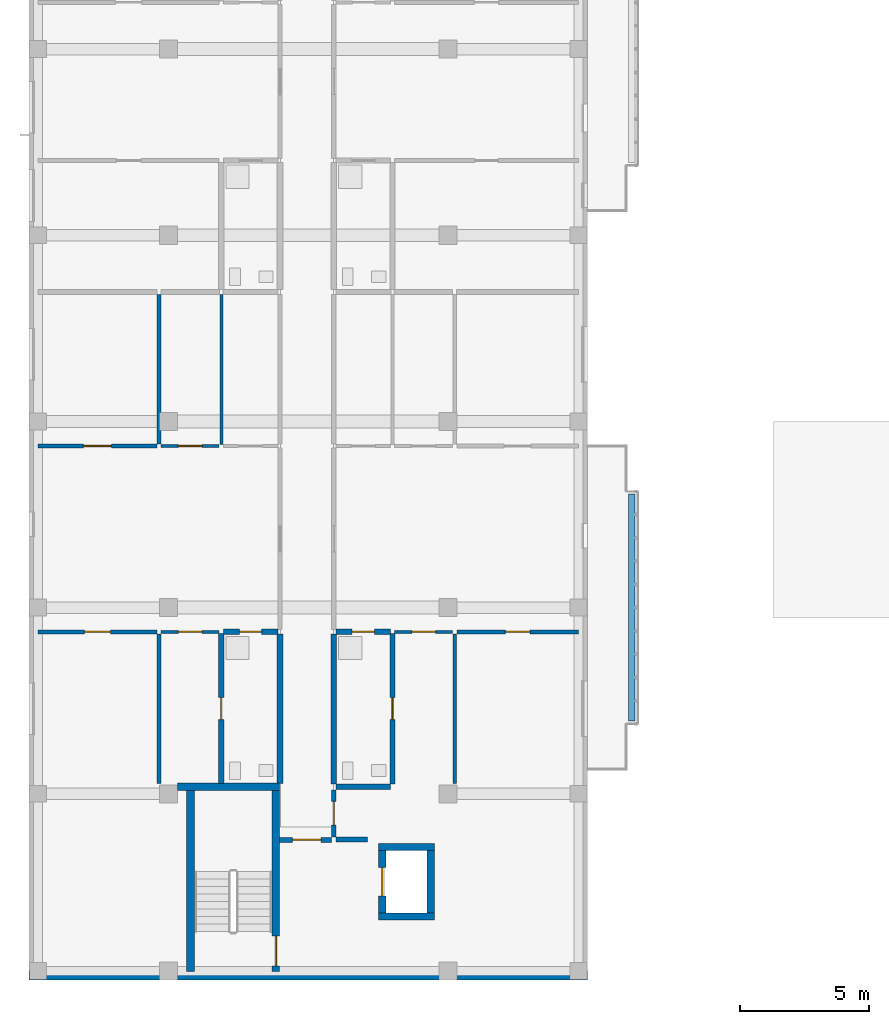
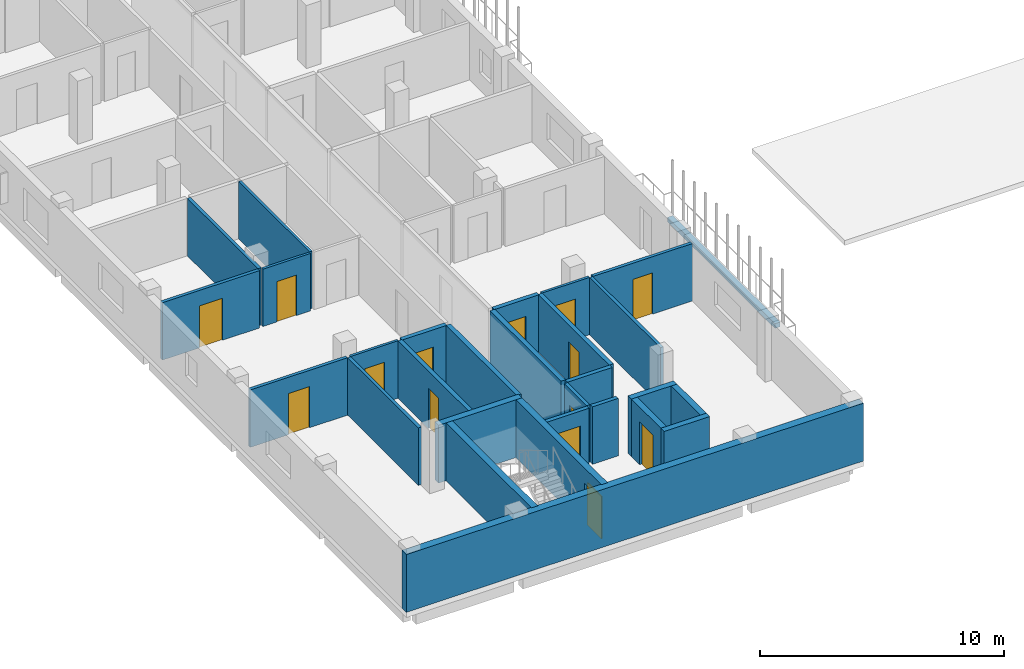
# One storey, part 24 of 51: 29 walls, 14 doors, 14 openings.
"""IFC4 building model written with IfcOpenShell, lengths in metres."""

from ifc_helpers import new_model, si_unit, derived_unit, direction, frame, frame_2d, origin, place, context, subcontext, project, spatial, rectangle, extrude, material, layer, layer_set, type_object, element, fill, save


model = new_model("IFC4")

# Units and contexts
model_context = context("Model", 3, precision=1e-05, world=origin(), true_north=direction((0.0, 1.0)))
body_context = subcontext(model_context, "Body", "Model", "MODEL_VIEW")
ifc_project = project(units=[si_unit("LENGTHUNIT", "METRE"), si_unit("AREAUNIT", "SQUARE_METRE"), si_unit("VOLUMEUNIT", "CUBIC_METRE"), si_unit("PLANEANGLEUNIT", "RADIAN"), si_unit("MASSUNIT", "GRAM", prefix="KILO"), derived_unit("THERMALTRANSMITTANCEUNIT", [(si_unit("MASSUNIT", "GRAM", prefix="KILO"), 1), (si_unit("TIMEUNIT", "SECOND"), -3), (si_unit("THERMODYNAMICTEMPERATUREUNIT", "KELVIN"), -1)])], contexts=[model_context])

# Site, building, storey
site_placement = place(None, origin())
site = spatial("IfcSite", under=ifc_project, at=site_placement, CompositionType="ELEMENT")
building_placement = place(site_placement, origin())
building = spatial("IfcBuilding", under=site, at=building_placement, Name="Ochrekiln Boulevard Commons", CompositionType="ELEMENT")
storey_placement = place(building_placement, frame((0.0, 0.0, 15.22509765625)))
storey = spatial("IfcBuildingStorey", under=building, at=storey_placement, Name="L04", CompositionType="ELEMENT", Elevation=15.22509765625)

# Walls
ifc_material_1 = material(Name="Iron-spot brown clinker brick masonry ASTM C216 Grade SW", Category="masonry")
ifc_layer_1 = layer(ifc_material_1, 0.364990234375)
ifc_layer_set_1 = layer_set([ifc_layer_1], Name="Iron-spot brown clinker brick masonry ASTM C216 Grade SW")
wall_type_1 = type_object("IfcWallType", Name="WL-EXT-IRON-365", PredefinedType="SOLIDWALL", material=ifc_layer_set_1)
wall_1_placement = place(storey_placement, frame((0.0, 0.1826171875, 0.0), z_axis=(0.0, 0.0, 1.0), x_axis=(1.0, 0.0, 0.0)))
element("IfcWall", 1, at=wall_1_placement, inside=storey, type_object=wall_type_1, Name="Block D L04 S Exterior Wall", PredefinedType="SOLIDWALL", context=body_context, shape_type="SweptSolid", body=[
    extrude(rectangle(XDim=21.60009765625, YDim=0.364990234375, at=frame_2d((10.800048828125, 0.0))), origin(), (0.0, 0.0, 1.0), 2.889892578125),
])
ifc_material_2 = material(Name="Moisture-resistant cementitious tile backer wall")
ifc_layer_2 = layer(ifc_material_2, 0.199951171875)
ifc_layer_set_2 = layer_set([ifc_layer_2], Name="Moisture-resistant cementitious tile backer wall")
wall_type_2 = type_object("IfcWallType", Name="WL-PLM-200", PredefinedType="PLUMBINGWALL", material=ifc_layer_set_2)
wall_2_placement = place(storey_placement, frame((11.8720703125, 7.47509765625, 0.0), z_axis=(0.0, 0.0, 1.0), x_axis=(1.0, 0.0, 0.0)))
element("IfcWall", 2, at=wall_2_placement, inside=storey, type_object=wall_type_2, Name="L04 Interior Wall W-PW200", PredefinedType="PLUMBINGWALL", context=body_context, shape_type="SweptSolid", body=[
    extrude(rectangle(XDim=2.10791015625, YDim=0.199951171875, at=frame_2d((1.053955078125, 0.0))), origin(), (0.0, 0.0, 1.0), 2.869873046875),
])

# Wall, opening, door
wall_3_placement = place(storey_placement, frame((7.52001953125, 13.465087890625, 0.0), z_axis=(0.0, 0.0, 1.0), x_axis=(1.0, 0.0, 0.0)))
wall_3 = element("IfcWall", 3, at=wall_3_placement, inside=storey, type_object=wall_type_2, Name="L04 Interior Wall W-PW200", PredefinedType="PLUMBINGWALL", context=body_context, shape_type="SweptSolid", body=[
    extrude(rectangle(XDim=2.10791015625, YDim=0.199951171875, at=frame_2d((1.053955078125, 0.0))), origin(), (0.0, 0.0, 1.0), 2.869873046875),
])
opening_1_placement = place(wall_3_placement, frame((0.6201171875, 0.0, 0.0)))
opening_1 = element("IfcOpeningElement", 4, at=opening_1_placement, cuts=wall_3, Name="Opening D-L04-655", PredefinedType="OPENING", context=body_context, shape_type="SweptSolid", body=[
    extrude(rectangle(XDim=0.860107421875, YDim=2.0, at=frame_2d((0.43017578125, 1.0))), frame((0.0, 0.10986328125, 0.0), z_axis=(0.0, -1.0, 0.0), x_axis=(1.0, 0.0, 0.0)), (0.0, 0.0, 1.0), 0.219970703125),
])
ifc_material_3 = material(Name="Solid core architectural oak door leaf")
door_type_1 = type_object("IfcDoorType", Name="DR-INT-BTH-086", OperationType="NOTDEFINED", PredefinedType="DOOR", material=ifc_material_3)
door_1_placement = place(opening_1_placement, frame((0.860107421875, 0.0, 0.0), z_axis=(0.0, 0.0, 1.0), x_axis=(-1.0, 0.0, 0.0)))
door_1 = element("IfcDoor", 5, at=door_1_placement, inside=storey, type_object=door_type_1, Name="L04 Interior Door to Accessible Apartment Bathroom", OperationType="SINGLE_SWING_LEFT", OverallHeight=2.0, OverallWidth=0.860107421875, PredefinedType="DOOR", context=body_context, shape_type="SweptSolid", body=[
    extrude(rectangle(XDim=0.860107421875, YDim=2.0, at=frame_2d((0.43017578125, 1.0))), frame((0.0, 0.02490234375, 0.0), z_axis=(0.0, -1.0, 0.0), x_axis=(1.0, 0.0, 0.0)), (0.0, 0.0, 1.0), 0.050048828125),
])
fill(opening_1, door_1)

wall_4_placement = place(storey_placement, frame((7.43994140625, 7.60009765625, 0.0), z_axis=(0.0, 0.0, 1.0), x_axis=(0.0, 1.0, 0.0)))
wall_4 = element("IfcWall", 6, at=wall_4_placement, inside=storey, type_object=wall_type_2, Name="L04 Interior Wall W-PW200", PredefinedType="PLUMBINGWALL", context=body_context, shape_type="SweptSolid", body=[
    extrude(rectangle(XDim=5.804931640625, YDim=0.199951171875, at=frame_2d((2.90234375, 0.0))), origin(), (0.0, 0.0, 1.0), 2.869873046875),
])
opening_2_placement = place(wall_4_placement, frame((2.468017578125, 0.0, 0.0)))
opening_2 = element("IfcOpeningElement", 7, at=opening_2_placement, cuts=wall_4, Name="Opening D-L04-661", PredefinedType="OPENING", context=body_context, shape_type="SweptSolid", body=[
    extrude(rectangle(XDim=0.85009765625, YDim=2.010009765625, at=frame_2d((0.425048828125, 1.0048828125))), frame((0.0, 0.10986328125, 0.0), z_axis=(0.0, -1.0, 0.0), x_axis=(1.0, 0.0, 0.0)), (0.0, 0.0, 1.0), 0.219970703125),
])
door_type_2 = type_object("IfcDoorType", Name="DR-INT-KIT-085", OperationType="NOTDEFINED", PredefinedType="DOOR", material=ifc_material_3)
door_2_placement = place(opening_2_placement, frame((0.85009765625, 0.0, 0.0), z_axis=(0.0, 0.0, 1.0), x_axis=(-1.0, 0.0, 0.0)))
door_2 = element("IfcDoor", 8, at=door_2_placement, inside=storey, type_object=door_type_2, Name="L04 Interior Door to Accessible Apartment Bathroom", OperationType="SINGLE_SWING_LEFT", OverallHeight=2.010009765625, OverallWidth=0.85009765625, PredefinedType="DOOR", context=body_context, shape_type="SweptSolid", body=[
    extrude(rectangle(XDim=0.85009765625, YDim=2.010009765625, at=frame_2d((0.425048828125, 1.0048828125))), frame((0.0, 0.02490234375, 0.0), z_axis=(0.0, -1.0, 0.0), x_axis=(1.0, 0.0, 0.0)), (0.0, 0.0, 1.0), 0.050048828125),
])
fill(opening_2, door_2)

wall_5_placement = place(storey_placement, frame((11.8720703125, 13.465087890625, 0.0), z_axis=(0.0, 0.0, 1.0), x_axis=(1.0, 0.0, 0.0)))
wall_5 = element("IfcWall", 9, at=wall_5_placement, inside=storey, type_object=wall_type_2, Name="L04 Interior Wall W-PW200", PredefinedType="PLUMBINGWALL", context=body_context, shape_type="SweptSolid", body=[
    extrude(rectangle(XDim=2.10791015625, YDim=0.199951171875, at=frame_2d((1.053955078125, 0.0))), origin(), (0.0, 0.0, 1.0), 2.869873046875),
])
opening_3_placement = place(wall_5_placement, frame((0.6279296875, 0.0, 0.0)))
opening_3 = element("IfcOpeningElement", 10, at=opening_3_placement, cuts=wall_5, Name="Opening D-L04-666", PredefinedType="OPENING", context=body_context, shape_type="SweptSolid", body=[
    extrude(rectangle(XDim=0.860107421875, YDim=2.0, at=frame_2d((0.43017578125, 1.0))), frame((0.0, 0.10986328125, 0.0), z_axis=(0.0, -1.0, 0.0), x_axis=(1.0, 0.0, 0.0)), (0.0, 0.0, 1.0), 0.219970703125),
])
door_3_placement = place(opening_3_placement, frame((0.860107421875, 0.0, 0.0), z_axis=(0.0, 0.0, 1.0), x_axis=(-1.0, 0.0, 0.0)))
door_3 = element("IfcDoor", 11, at=door_3_placement, inside=storey, type_object=door_type_1, Name="L04 Interior Door to Apartment Bathroom", OperationType="SINGLE_SWING_RIGHT", OverallHeight=2.0, OverallWidth=0.860107421875, PredefinedType="DOOR", context=body_context, shape_type="SweptSolid", body=[
    extrude(rectangle(XDim=0.860107421875, YDim=2.0, at=frame_2d((0.43017578125, 1.0))), frame((0.0, 0.02490234375, 0.0), z_axis=(0.0, -1.0, 0.0), x_axis=(1.0, 0.0, 0.0)), (0.0, 0.0, 1.0), 0.050048828125),
])
fill(opening_3, door_3)

wall_6_placement = place(storey_placement, frame((14.06005859375, 7.574951171875, 0.0), z_axis=(0.0, 0.0, 1.0), x_axis=(0.0, 1.0, 0.0)))
wall_6 = element("IfcWall", 12, at=wall_6_placement, inside=storey, type_object=wall_type_2, Name="L04 Interior Wall W-PW200", PredefinedType="PLUMBINGWALL", context=body_context, shape_type="SweptSolid", body=[
    extrude(rectangle(XDim=5.830078125, YDim=0.199951171875, at=frame_2d((2.9150390625, 0.0))), origin(), (0.0, 0.0, 1.0), 2.869873046875),
])
opening_4_placement = place(wall_6_placement, frame((2.491943359375, 0.0, 0.0)))
opening_4 = element("IfcOpeningElement", 13, at=opening_4_placement, cuts=wall_6, Name="Opening D-L04-672", PredefinedType="OPENING", context=body_context, shape_type="SweptSolid", body=[
    extrude(rectangle(XDim=0.85009765625, YDim=2.010009765625, at=frame_2d((0.425048828125, 1.0048828125))), frame((0.0, 0.10986328125, 0.0), z_axis=(0.0, -1.0, 0.0), x_axis=(1.0, 0.0, 0.0)), (0.0, 0.0, 1.0), 0.219970703125),
])
door_4_placement = place(opening_4_placement, origin())
door_4 = element("IfcDoor", 14, at=door_4_placement, inside=storey, type_object=door_type_2, Name="L04 Interior Door to Apartment Bathroom", OperationType="SINGLE_SWING_RIGHT", OverallHeight=2.010009765625, OverallWidth=0.85009765625, PredefinedType="DOOR", context=body_context, shape_type="SweptSolid", body=[
    extrude(rectangle(XDim=0.85009765625, YDim=2.010009765625, at=frame_2d((0.425048828125, 1.0048828125))), frame((0.0, 0.02490234375, 0.0), z_axis=(0.0, -1.0, 0.0), x_axis=(1.0, 0.0, 0.0)), (0.0, 0.0, 1.0), 0.050048828125),
])
fill(opening_4, door_4)

# Walls
ifc_layer_3 = layer(ifc_material_2, 0.219970703125)
ifc_layer_set_3 = layer_set([ifc_layer_3], Name="Moisture-resistant cementitious tile backer wall")
wall_type_3 = type_object("IfcWallType", Name="WL-PLM-220", PredefinedType="PLUMBINGWALL", material=ifc_layer_set_3)
wall_7_placement = place(storey_placement, frame((9.7099609375, 7.60009765625, 0.0), z_axis=(0.0, 0.0, 1.0), x_axis=(0.0, 1.0, 0.0)))
element("IfcWall", 15, at=wall_7_placement, inside=storey, type_object=wall_type_3, Name="L04 Interior Wall W-PW220", PredefinedType="PLUMBINGWALL", context=body_context, shape_type="SweptSolid", body=[
    extrude(rectangle(XDim=5.784912109375, YDim=0.219970703125, at=frame_2d((2.892578125, 0.0))), origin(), (0.0, 0.0, 1.0), 2.869873046875),
])
wall_8_placement = place(storey_placement, frame((11.7900390625, 7.574951171875, 0.0), z_axis=(0.0, 0.0, 1.0), x_axis=(0.0, 1.0, 0.0)))
element("IfcWall", 16, at=wall_8_placement, inside=storey, type_object=wall_type_3, Name="L04 Interior Wall W-PW220", PredefinedType="PLUMBINGWALL", context=body_context, shape_type="SweptSolid", body=[
    extrude(rectangle(XDim=5.81005859375, YDim=0.219970703125, at=frame_2d((2.905029296875, 0.0))), origin(), (0.0, 0.0, 1.0), 2.869873046875),
])
ifc_material_4 = material(Name="Glazed architectural terracotta ASTM C1405", Category="masonry")
ifc_layer_4 = layer(ifc_material_4, 0.25)
ifc_layer_set_4 = layer_set([ifc_layer_4], Name="Glazed architectural terracotta ASTM C1405")
wall_type_4 = type_object("IfcWallType", Name="WL-PLN-250", PredefinedType="PARAPET", material=ifc_layer_set_4)
wall_9_placement = place(storey_placement, frame((23.320068359375, 10.010009765625, 0.0), z_axis=(0.0, 0.0, 1.0), x_axis=(0.0, 1.0, 0.0)))
element("IfcWall", 17, at=wall_9_placement, inside=storey, type_object=wall_type_4, Name="Block D L04 Balcony Terracotta Planter Box 1", PredefinedType="PARAPET", context=body_context, shape_type="SweptSolid", body=[
    extrude(rectangle(XDim=8.780029296875, YDim=0.25, at=frame_2d((4.39013671875, 0.0))), origin(), (0.0, 0.0, 1.0), 0.22998046875),
])

# Wall, opening, door
ifc_material_5 = material(Name="Fire-rated Type X gypsum board on steel studs", Category="steel")
ifc_layer_5 = layer(ifc_material_5, 0.1650390625)
ifc_layer_set_5 = layer_set([ifc_layer_5], Name="Fire-rated Type X gypsum board on steel studs")
wall_type_5 = type_object("IfcWallType", Name="WL-PT-CORR-165", PredefinedType="PARTITIONING", material=ifc_layer_set_5)
wall_10_placement = place(storey_placement, frame((11.7900390625, 5.530029296875, 0.0), z_axis=(0.0, 0.0, 1.0), x_axis=(0.0, 1.0, 0.0)))
wall_10 = element("IfcWall", 18, at=wall_10_placement, inside=storey, type_object=wall_type_5, Name="L04 Interior Wall W-PC165", PredefinedType="PARTITIONING", context=body_context, shape_type="SweptSolid", body=[
    extrude(rectangle(XDim=1.820068359375, YDim=0.1650390625, at=frame_2d((0.91015625, 0.0))), origin(), (0.0, 0.0, 1.0), 2.869873046875),
])
opening_5_placement = place(wall_10_placement, frame((0.4599609375, 0.0, 0.0)))
opening_5 = element("IfcOpeningElement", 19, at=opening_5_placement, cuts=wall_10, Name="Opening D-L04-650", PredefinedType="OPENING", context=body_context, shape_type="SweptSolid", body=[
    extrude(rectangle(XDim=0.919921875, YDim=2.0400390625, at=frame_2d((0.4599609375, 1.02001953125))), frame((0.0, 0.092529296875, 0.0), z_axis=(0.0, -1.0, 0.0), x_axis=(1.0, 0.0, 0.0)), (0.0, 0.0, 1.0), 0.18505859375),
])
ifc_material_6 = material(Name="Hollow metal fire-rated steel door assembly", Category="steel")
door_type_3 = type_object("IfcDoorType", Name="DR-SRV-90", OperationType="NOTDEFINED", PredefinedType="DOOR", material=ifc_material_6)
door_5_placement = place(opening_5_placement, frame((0.919921875, 0.0, 0.0), z_axis=(0.0, 0.0, 1.0), x_axis=(-1.0, 0.0, 0.0)))
door_5 = element("IfcDoor", 20, at=door_5_placement, inside=storey, type_object=door_type_3, Name="L04 Interior Door to Hydronic and Electrical Riser Room", OperationType="SINGLE_SWING_RIGHT", OverallHeight=2.0400390625, OverallWidth=0.919921875, PredefinedType="DOOR", context=body_context, shape_type="SweptSolid", body=[
    extrude(rectangle(XDim=0.919921875, YDim=2.0400390625, at=frame_2d((0.4599609375, 1.02001953125))), frame((0.0, 0.02490234375, 0.0), z_axis=(0.0, -1.0, 0.0), x_axis=(1.0, 0.0, 0.0)), (0.0, 0.0, 1.0), 0.050048828125),
])
fill(opening_5, door_5)

# Wall
ifc_layer_6 = layer(ifc_material_5, 0.18994140625)
ifc_layer_set_6 = layer_set([ifc_layer_6], Name="Fire-rated Type X gypsum board on steel studs")
wall_type_6 = type_object("IfcWallType", Name="WL-PT-LBY-190", PredefinedType="PARTITIONING", material=ifc_layer_set_6)
wall_11_placement = place(storey_placement, frame((11.8798828125, 5.43505859375, 0.0), z_axis=(0.0, 0.0, 1.0), x_axis=(1.0, 0.0, 0.0)))
element("IfcWall", 21, at=wall_11_placement, inside=storey, type_object=wall_type_6, Name="L04 Interior Wall W-PL190", PredefinedType="PARTITIONING", context=body_context, shape_type="SweptSolid", body=[
    extrude(rectangle(XDim=1.22021484375, YDim=0.18994140625, at=frame_2d((0.610107421875, 0.0))), origin(), (0.0, 0.0, 1.0), 2.869873046875),
])

# Wall, opening, door
wall_12_placement = place(storey_placement, frame((9.699951171875, 5.419921875, 0.0), z_axis=(0.0, 0.0, 1.0), x_axis=(1.0, 0.0, 0.0)))
wall_12 = element("IfcWall", 22, at=wall_12_placement, inside=storey, type_object=wall_type_6, Name="L04 Interior Wall W-PL190", PredefinedType="PARTITIONING", context=body_context, shape_type="SweptSolid", body=[
    extrude(rectangle(XDim=2.0, YDim=0.18994140625, at=frame_2d((1.0, 0.0))), origin(), (0.0, 0.0, 1.0), 2.869873046875),
])
opening_6_placement = place(wall_12_placement, frame((0.5, 0.0, 0.0)))
opening_6 = element("IfcOpeningElement", 23, at=opening_6_placement, cuts=wall_12, Name="Opening D-L04-648", PredefinedType="OPENING", context=body_context, shape_type="SweptSolid", body=[
    extrude(rectangle(XDim=1.10009765625, YDim=2.1201171875, at=frame_2d((0.550048828125, 1.06005859375))), frame((0.0, 0.10498046875, 0.0), z_axis=(0.0, -1.0, 0.0), x_axis=(1.0, 0.0, 0.0)), (0.0, 0.0, 1.0), 0.2099609375),
])
door_type_4 = type_object("IfcDoorType", Name="DR-LOBBY-60", OperationType="NOTDEFINED", PredefinedType="DOOR", material=ifc_material_6)
door_6_placement = place(opening_6_placement, frame((1.10009765625, 0.0, 0.0), z_axis=(0.0, 0.0, 1.0), x_axis=(-1.0, 0.0, 0.0)))
door_6 = element("IfcDoor", 24, at=door_6_placement, inside=storey, type_object=door_type_4, Name="L04 Interior Door to Passenger Elevator Lobby", OperationType="SINGLE_SWING_RIGHT", OverallHeight=2.1201171875, OverallWidth=1.10009765625, PredefinedType="DOOR", context=body_context, shape_type="SweptSolid", body=[
    extrude(rectangle(XDim=1.10009765625, YDim=2.1201171875, at=frame_2d((0.550048828125, 1.06005859375))), frame((0.0, 0.02490234375, 0.0), z_axis=(0.0, -1.0, 0.0), x_axis=(1.0, 0.0, 0.0)), (0.0, 0.0, 1.0), 0.050048828125),
])
fill(opening_6, door_6)

ifc_layer_7 = layer(ifc_material_5, 0.1201171875)
ifc_layer_set_7 = layer_set([ifc_layer_7], Name="Fire-rated Type X gypsum board on steel studs")
wall_type_7 = type_object("IfcWallType", Name="WL-PT-LGT-120", PredefinedType="PARTITIONING", material=ifc_layer_set_7)
wall_13_placement = place(storey_placement, frame((5.110107421875, 13.465087890625, 0.0), z_axis=(0.0, 0.0, 1.0), x_axis=(1.0, 0.0, 0.0)))
wall_13 = element("IfcWall", 25, at=wall_13_placement, inside=storey, type_object=wall_type_7, Name="L04 Interior Wall W-PL120", PredefinedType="PARTITIONING", context=body_context, shape_type="SweptSolid", body=[
    extrude(rectangle(XDim=2.25, YDim=0.1201171875, at=frame_2d((1.125, 0.0))), origin(), (0.0, 0.0, 1.0), 2.869873046875),
])
opening_7_placement = place(wall_13_placement, frame((0.6650390625, 0.0, 0.0)))
opening_7 = element("IfcOpeningElement", 26, at=opening_7_placement, cuts=wall_13, Name="Opening D-L04-658", PredefinedType="OPENING", context=body_context, shape_type="SweptSolid", body=[
    extrude(rectangle(XDim=0.919921875, YDim=2.02001953125, at=frame_2d((0.4599609375, 1.010009765625))), frame((0.0, 0.070068359375, 0.0), z_axis=(0.0, -1.0, 0.0), x_axis=(1.0, 0.0, 0.0)), (0.0, 0.0, 1.0), 0.14013671875),
])
door_type_5 = type_object("IfcDoorType", Name="DR-INT-KIT-092", OperationType="NOTDEFINED", PredefinedType="DOOR", material=ifc_material_3)
door_7_placement = place(opening_7_placement, frame((0.919921875, 0.0, 0.0), z_axis=(0.0, 0.0, 1.0), x_axis=(-1.0, 0.0, 0.0)))
door_7 = element("IfcDoor", 27, at=door_7_placement, inside=storey, type_object=door_type_5, Name="L04 Interior Door to Apartment Walk-In Wardrobe", OperationType="SINGLE_SWING_RIGHT", OverallHeight=2.02001953125, OverallWidth=0.919921875, PredefinedType="DOOR", context=body_context, shape_type="SweptSolid", body=[
    extrude(rectangle(XDim=0.919921875, YDim=2.02001953125, at=frame_2d((0.4599609375, 1.010009765625))), frame((0.0, 0.02490234375, 0.0), z_axis=(0.0, -1.0, 0.0), x_axis=(1.0, 0.0, 0.0)), (0.0, 0.0, 1.0), 0.050048828125),
])
fill(opening_7, door_7)

wall_14_placement = place(storey_placement, frame((5.110107421875, 20.653076171875, 0.0), z_axis=(0.0, 0.0, 1.0), x_axis=(1.0, 0.0, 0.0)))
wall_14 = element("IfcWall", 28, at=wall_14_placement, inside=storey, type_object=wall_type_7, Name="L04 Interior Wall W-PL120", PredefinedType="PARTITIONING", context=body_context, shape_type="SweptSolid", body=[
    extrude(rectangle(XDim=2.25, YDim=0.1201171875, at=frame_2d((1.125, 0.0))), origin(), (0.0, 0.0, 1.0), 2.869873046875),
])
opening_8_placement = place(wall_14_placement, frame((0.6650390625, 0.0, 0.0)))
opening_8 = element("IfcOpeningElement", 29, at=opening_8_placement, cuts=wall_14, Name="Opening D-L04-660", PredefinedType="OPENING", context=body_context, shape_type="SweptSolid", body=[
    extrude(rectangle(XDim=0.919921875, YDim=2.02001953125, at=frame_2d((0.4599609375, 1.010009765625))), frame((0.0, 0.070068359375, 0.0), z_axis=(0.0, -1.0, 0.0), x_axis=(1.0, 0.0, 0.0)), (0.0, 0.0, 1.0), 0.14013671875),
])
door_8_placement = place(opening_8_placement, origin())
door_8 = element("IfcDoor", 30, at=door_8_placement, inside=storey, type_object=door_type_5, Name="L04 Interior Door to Apartment Walk-In Wardrobe", OperationType="SINGLE_SWING_RIGHT", OverallHeight=2.02001953125, OverallWidth=0.919921875, PredefinedType="DOOR", context=body_context, shape_type="SweptSolid", body=[
    extrude(rectangle(XDim=0.919921875, YDim=2.02001953125, at=frame_2d((0.4599609375, 1.010009765625))), frame((0.0, 0.02490234375, 0.0), z_axis=(0.0, -1.0, 0.0), x_axis=(1.0, 0.0, 0.0)), (0.0, 0.0, 1.0), 0.050048828125),
])
fill(opening_8, door_8)

# Wall
wall_15_placement = place(storey_placement, frame((7.43994140625, 20.712890625, 0.0), z_axis=(0.0, 0.0, 1.0), x_axis=(0.0, 1.0, 0.0)))
element("IfcWall", 31, at=wall_15_placement, inside=storey, type_object=wall_type_7, Name="L04 Interior Wall W-PL120", PredefinedType="PARTITIONING", context=body_context, shape_type="SweptSolid", body=[
    extrude(rectangle(XDim=5.80517578125, YDim=0.1201171875, at=frame_2d((2.902587890625, 0.0))), origin(), (0.0, 0.0, 1.0), 2.869873046875),
])

# Wall, opening, door
wall_16_placement = place(storey_placement, frame((14.139892578125, 13.465087890625, 0.0), z_axis=(0.0, 0.0, 1.0), x_axis=(1.0, 0.0, 0.0)))
wall_16 = element("IfcWall", 32, at=wall_16_placement, inside=storey, type_object=wall_type_7, Name="L04 Interior Wall W-PL120", PredefinedType="PARTITIONING", context=body_context, shape_type="SweptSolid", body=[
    extrude(rectangle(XDim=2.25, YDim=0.1201171875, at=frame_2d((1.125, 0.0))), origin(), (0.0, 0.0, 1.0), 2.869873046875),
])
opening_9_placement = place(wall_16_placement, frame((0.6650390625, 0.0, 0.0)))
opening_9 = element("IfcOpeningElement", 33, at=opening_9_placement, cuts=wall_16, Name="Opening D-L04-669", PredefinedType="OPENING", context=body_context, shape_type="SweptSolid", body=[
    extrude(rectangle(XDim=0.919921875, YDim=2.02001953125, at=frame_2d((0.4599609375, 1.010009765625))), frame((0.0, 0.070068359375, 0.0), z_axis=(0.0, -1.0, 0.0), x_axis=(1.0, 0.0, 0.0)), (0.0, 0.0, 1.0), 0.14013671875),
])
door_9_placement = place(opening_9_placement, frame((0.919921875, 0.0, 0.0), z_axis=(0.0, 0.0, 1.0), x_axis=(-1.0, 0.0, 0.0)))
door_9 = element("IfcDoor", 34, at=door_9_placement, inside=storey, type_object=door_type_5, Name="L04 Interior Door to Apartment Walk-In Wardrobe", OperationType="SINGLE_SWING_LEFT", OverallHeight=2.02001953125, OverallWidth=0.919921875, PredefinedType="DOOR", context=body_context, shape_type="SweptSolid", body=[
    extrude(rectangle(XDim=0.919921875, YDim=2.02001953125, at=frame_2d((0.4599609375, 1.010009765625))), frame((0.0, 0.02490234375, 0.0), z_axis=(0.0, -1.0, 0.0), x_axis=(1.0, 0.0, 0.0)), (0.0, 0.0, 1.0), 0.050048828125),
])
fill(opening_9, door_9)

ifc_layer_8 = layer(ifc_material_5, 0.14990234375)
ifc_layer_set_8 = layer_set([ifc_layer_8], Name="Fire-rated Type X gypsum board on steel studs")
wall_type_8 = type_object("IfcWallType", Name="WL-PT-STD-150", PredefinedType="PARTITIONING", material=ifc_layer_set_8)
wall_17_placement = place(storey_placement, frame((0.35009765625, 13.465087890625, 0.0), z_axis=(0.0, 0.0, 1.0), x_axis=(1.0, 0.0, 0.0)))
wall_17 = element("IfcWall", 35, at=wall_17_placement, inside=storey, type_object=wall_type_8, Name="L04 Interior Wall W-PS150", PredefinedType="PARTITIONING", context=body_context, shape_type="SweptSolid", body=[
    extrude(rectangle(XDim=4.599853515625, YDim=0.14990234375, at=frame_2d((2.2998046875, 0.0))), origin(), (0.0, 0.0, 1.0), 2.869873046875),
])
opening_10_placement = place(wall_17_placement, frame((1.800048828125, 0.0, 0.0)))
opening_10 = element("IfcOpeningElement", 36, at=opening_10_placement, cuts=wall_17, Name="Opening D-L04-657", PredefinedType="OPENING", context=body_context, shape_type="SweptSolid", body=[
    extrude(rectangle(XDim=1.0, YDim=2.06005859375, at=frame_2d((0.5, 1.030029296875))), frame((0.0, 0.0849609375, 0.0), z_axis=(0.0, -1.0, 0.0), x_axis=(1.0, 0.0, 0.0)), (0.0, 0.0, 1.0), 0.169921875),
])
door_type_6 = type_object("IfcDoorType", Name="DR-INT-BED-100", OperationType="NOTDEFINED", PredefinedType="DOOR", material=ifc_material_3)
door_10_placement = place(opening_10_placement, frame((1.0, 0.0, 0.0), z_axis=(0.0, 0.0, 1.0), x_axis=(-1.0, 0.0, 0.0)))
door_10 = element("IfcDoor", 37, at=door_10_placement, inside=storey, type_object=door_type_6, Name="L04 Interior Door to Primary Apartment Bedroom", OperationType="SINGLE_SWING_LEFT", OverallHeight=2.06005859375, OverallWidth=1.0, PredefinedType="DOOR", context=body_context, shape_type="SweptSolid", body=[
    extrude(rectangle(XDim=1.0, YDim=2.06005859375, at=frame_2d((0.5, 1.030029296875))), frame((0.0, 0.02490234375, 0.0), z_axis=(0.0, -1.0, 0.0), x_axis=(1.0, 0.0, 0.0)), (0.0, 0.0, 1.0), 0.050048828125),
])
fill(opening_10, door_10)

wall_18_placement = place(storey_placement, frame((0.35009765625, 20.653076171875, 0.0), z_axis=(0.0, 0.0, 1.0), x_axis=(1.0, 0.0, 0.0)))
wall_18 = element("IfcWall", 38, at=wall_18_placement, inside=storey, type_object=wall_type_8, Name="L04 Interior Wall W-PS150", PredefinedType="PARTITIONING", context=body_context, shape_type="SweptSolid", body=[
    extrude(rectangle(XDim=4.599853515625, YDim=0.14990234375, at=frame_2d((2.2998046875, 0.0))), origin(), (0.0, 0.0, 1.0), 2.869873046875),
])
opening_11_placement = place(wall_18_placement, frame((1.760009765625, 0.0, 0.0)))
opening_11 = element("IfcOpeningElement", 39, at=opening_11_placement, cuts=wall_18, Name="Opening D-L04-659", PredefinedType="OPENING", context=body_context, shape_type="SweptSolid", body=[
    extrude(rectangle(XDim=1.080078125, YDim=2.10009765625, at=frame_2d((0.5400390625, 1.050048828125))), frame((0.0, 0.0849609375, 0.0), z_axis=(0.0, -1.0, 0.0), x_axis=(1.0, 0.0, 0.0)), (0.0, 0.0, 1.0), 0.169921875),
])
door_type_7 = type_object("IfcDoorType", Name="DR-INT-BED-108", OperationType="NOTDEFINED", PredefinedType="DOOR", material=ifc_material_3)
door_11_placement = place(opening_11_placement, origin())
door_11 = element("IfcDoor", 40, at=door_11_placement, inside=storey, type_object=door_type_7, Name="L04 Interior Door to Secondary Apartment Bedroom", OperationType="SINGLE_SWING_LEFT", OverallHeight=2.10009765625, OverallWidth=1.080078125, PredefinedType="DOOR", context=body_context, shape_type="SweptSolid", body=[
    extrude(rectangle(XDim=1.080078125, YDim=2.10009765625, at=frame_2d((0.5400390625, 1.050048828125))), frame((0.0, 0.02490234375, 0.0), z_axis=(0.0, -1.0, 0.0), x_axis=(1.0, 0.0, 0.0)), (0.0, 0.0, 1.0), 0.050048828125),
])
fill(opening_11, door_11)

# Walls
wall_19_placement = place(storey_placement, frame((5.030029296875, 7.60009765625, 0.0), z_axis=(0.0, 0.0, 1.0), x_axis=(0.0, 1.0, 0.0)))
element("IfcWall", 41, at=wall_19_placement, inside=storey, type_object=wall_type_8, Name="L04 Interior Wall W-PS150", PredefinedType="PARTITIONING", context=body_context, shape_type="SweptSolid", body=[
    extrude(rectangle(XDim=5.789794921875, YDim=0.14990234375, at=frame_2d((2.89501953125, 0.0))), origin(), (0.0, 0.0, 1.0), 2.869873046875),
])
wall_20_placement = place(storey_placement, frame((5.030029296875, 20.72802734375, 0.0), z_axis=(0.0, 0.0, 1.0), x_axis=(0.0, 1.0, 0.0)))
element("IfcWall", 42, at=wall_20_placement, inside=storey, type_object=wall_type_8, Name="L04 Interior Wall W-PS150", PredefinedType="PARTITIONING", context=body_context, shape_type="SweptSolid", body=[
    extrude(rectangle(XDim=5.7900390625, YDim=0.14990234375, at=frame_2d((2.89501953125, 0.0))), origin(), (0.0, 0.0, 1.0), 2.869873046875),
])

# Wall, opening, door
wall_21_placement = place(storey_placement, frame((16.550048828125, 13.465087890625, 0.0), z_axis=(0.0, 0.0, 1.0), x_axis=(1.0, 0.0, 0.0)))
wall_21 = element("IfcWall", 43, at=wall_21_placement, inside=storey, type_object=wall_type_8, Name="L04 Interior Wall W-PS150", PredefinedType="PARTITIONING", context=body_context, shape_type="SweptSolid", body=[
    extrude(rectangle(XDim=4.699951171875, YDim=0.14990234375, at=frame_2d((2.35009765625, 0.0))), origin(), (0.0, 0.0, 1.0), 2.869873046875),
])
opening_12_placement = place(wall_21_placement, frame((1.8798828125, 0.0, 0.0)))
opening_12 = element("IfcOpeningElement", 44, at=opening_12_placement, cuts=wall_21, Name="Opening D-L04-668", PredefinedType="OPENING", context=body_context, shape_type="SweptSolid", body=[
    extrude(rectangle(XDim=0.93994140625, YDim=2.06005859375, at=frame_2d((0.469970703125, 1.030029296875))), frame((0.0, 0.0849609375, 0.0), z_axis=(0.0, -1.0, 0.0), x_axis=(1.0, 0.0, 0.0)), (0.0, 0.0, 1.0), 0.169921875),
])
door_type_8 = type_object("IfcDoorType", Name="DR-INT-BED-094", OperationType="NOTDEFINED", PredefinedType="DOOR", material=ifc_material_3)
door_12_placement = place(opening_12_placement, frame((0.93994140625, 0.0, 0.0), z_axis=(0.0, 0.0, 1.0), x_axis=(-1.0, 0.0, 0.0)))
door_12 = element("IfcDoor", 45, at=door_12_placement, inside=storey, type_object=door_type_8, Name="L04 Interior Door to Primary Apartment Bedroom", OperationType="SINGLE_SWING_RIGHT", OverallHeight=2.06005859375, OverallWidth=0.93994140625, PredefinedType="DOOR", context=body_context, shape_type="SweptSolid", body=[
    extrude(rectangle(XDim=0.93994140625, YDim=2.06005859375, at=frame_2d((0.469970703125, 1.030029296875))), frame((0.0, 0.02490234375, 0.0), z_axis=(0.0, -1.0, 0.0), x_axis=(1.0, 0.0, 0.0)), (0.0, 0.0, 1.0), 0.050048828125),
])
fill(opening_12, door_12)

# Walls
wall_22_placement = place(storey_placement, frame((16.469970703125, 7.60009765625, 0.0), z_axis=(0.0, 0.0, 1.0), x_axis=(0.0, 1.0, 0.0)))
element("IfcWall", 46, at=wall_22_placement, inside=storey, type_object=wall_type_8, Name="L04 Interior Wall W-PS150", PredefinedType="PARTITIONING", context=body_context, shape_type="SweptSolid", body=[
    extrude(rectangle(XDim=5.789794921875, YDim=0.14990234375, at=frame_2d((2.89501953125, 0.0))), origin(), (0.0, 0.0, 1.0), 2.869873046875),
])
ifc_material_7 = material(Name="Concrete C40/50", Category="concrete")
ifc_layer_9 = layer(ifc_material_7, 0.27490234375)
ifc_layer_set_9 = layer_set([ifc_layer_9], Name="Concrete C40/50")
wall_type_9 = type_object("IfcWallType", Name="WL-SH-275", PredefinedType="SHEAR", material=ifc_layer_set_9)
for number, where, z_axis, x_axis, name in (
    (47, (13.52490234375, 2.46240234375, 0.0), (0.0, 0.0, 1.0), (1.0, 0.0, 0.0), "Elevator LP-D1 L04 Hoistway Shear Wall"),
    (48, (13.52490234375, 5.137451171875, 0.0), (0.0, 0.0, 1.0), (1.0, 0.0, 0.0), "Elevator LP-D1 L04 Hoistway Shear Wall"),
):
    element("IfcWall", number, at=place(storey_placement, frame(where, z_axis=z_axis, x_axis=x_axis)), inside=storey, type_object=wall_type_9, Name=name, PredefinedType="SHEAR", context=body_context, shape_type="SweptSolid", body=[
        extrude(rectangle(XDim=2.150146484375, YDim=0.27490234375, at=frame_2d((1.0751953125, 0.0))), origin(), (0.0, 0.0, 1.0), 2.889892578125),
    ])

# Wall, opening, door
wall_23_placement = place(storey_placement, frame((13.66259765625, 2.60009765625, 0.0), z_axis=(0.0, 0.0, 1.0), x_axis=(0.0, 1.0, 0.0)))
wall_23 = element("IfcWall", 49, at=wall_23_placement, inside=storey, type_object=wall_type_9, Name="Elevator LP-D1 L04 Hoistway Shear Wall", PredefinedType="SHEAR", context=body_context, shape_type="SweptSolid", body=[
    extrude(rectangle(XDim=2.39990234375, YDim=0.27490234375, at=frame_2d((1.199951171875, 0.0))), origin(), (0.0, 0.0, 1.0), 2.889892578125),
])
opening_13_placement = place(wall_23_placement, frame((0.64990234375, 0.0, 0.0)))
opening_13 = element("IfcOpeningElement", 50, at=opening_13_placement, cuts=wall_23, Name="Opening LD-LP-D1-L04", PredefinedType="OPENING", context=body_context, shape_type="SweptSolid", body=[
    extrude(rectangle(XDim=1.10009765625, YDim=2.14990234375, at=frame_2d((0.550048828125, 1.074951171875))), frame((0.0, 0.1474609375, 0.0), z_axis=(0.0, -1.0, 0.0), x_axis=(1.0, 0.0, 0.0)), (0.0, 0.0, 1.0), 0.294921875),
])
ifc_material_8 = material(Name="Brushed stainless steel 316 elevator cab and doors", Category="steel")
door_type_9 = type_object("IfcDoorType", Name="DR-LIFT-LD90", OperationType="SLIDING_TO_LEFT", PredefinedType="DOOR", material=ifc_material_8)
door_13_placement = place(opening_13_placement, origin())
door_13 = element("IfcDoor", 51, at=door_13_placement, inside=storey, type_object=door_type_9, Name="Elevator LP-D1 L04 Sliding Landing Door LD-LP-D1-L04", OperationType="SLIDING_TO_LEFT", OverallHeight=2.14990234375, OverallWidth=1.10009765625, PredefinedType="DOOR", context=body_context, shape_type="SweptSolid", body=[
    extrude(rectangle(XDim=1.10009765625, YDim=2.14990234375, at=frame_2d((0.550048828125, 1.074951171875))), frame((0.0, 0.02490234375, 0.0), z_axis=(0.0, -1.0, 0.0), x_axis=(1.0, 0.0, 0.0)), (0.0, 0.0, 1.0), 0.050048828125),
])
fill(opening_13, door_13)

# Walls
wall_24_placement = place(storey_placement, frame((15.53759765625, 2.60009765625, 0.0), z_axis=(0.0, 0.0, 1.0), x_axis=(0.0, 1.0, 0.0)))
element("IfcWall", 52, at=wall_24_placement, inside=storey, type_object=wall_type_9, Name="Elevator LP-D1 L04 Hoistway Shear Wall", PredefinedType="SHEAR", context=body_context, shape_type="SweptSolid", body=[
    extrude(rectangle(XDim=2.39990234375, YDim=0.27490234375, at=frame_2d((1.199951171875, 0.0))), origin(), (0.0, 0.0, 1.0), 2.889892578125),
])
ifc_layer_10 = layer(ifc_material_7, 0.300048828125)
ifc_layer_set_10 = layer_set([ifc_layer_10], Name="Concrete C40/50")
wall_type_10 = type_object("IfcWallType", Name="WL-SH-300", PredefinedType="SHEAR", material=ifc_layer_set_10)
wall_25_placement = place(storey_placement, frame((5.75, 7.469970703125, 0.0), z_axis=(0.0, 0.0, 1.0), x_axis=(1.0, 0.0, 0.0)))
element("IfcWall", 53, at=wall_25_placement, inside=storey, type_object=wall_type_10, Name="Stair ST-D1 L04 Core Shear Wall N", PredefinedType="SHEAR", context=body_context, shape_type="SweptSolid", body=[
    extrude(rectangle(XDim=3.949951171875, YDim=0.300048828125, at=frame_2d((1.97509765625, 0.0))), origin(), (0.0, 0.0, 1.0), 2.889892578125),
])
wall_26_placement = place(storey_placement, frame((6.25, 0.320068359375, 0.0), z_axis=(0.0, 0.0, 1.0), x_axis=(0.0, 1.0, 0.0)))
element("IfcWall", 54, at=wall_26_placement, inside=storey, type_object=wall_type_10, Name="Stair ST-D1 L04 Core Shear Wall W", PredefinedType="SHEAR", context=body_context, shape_type="SweptSolid", body=[
    extrude(rectangle(XDim=7.0, YDim=0.300048828125, at=frame_2d((3.5, 0.0))), origin(), (0.0, 0.0, 1.0), 2.889892578125),
])

# Wall, opening, door
wall_27_placement = place(storey_placement, frame((9.550048828125, 0.320068359375, 0.0), z_axis=(0.0, 0.0, 1.0), x_axis=(0.0, 1.0, 0.0)))
wall_27 = element("IfcWall", 55, at=wall_27_placement, inside=storey, type_object=wall_type_10, Name="Stair ST-D1 L04 Core Shear Wall E", PredefinedType="SHEAR", context=body_context, shape_type="SweptSolid", body=[
    extrude(rectangle(XDim=7.0, YDim=0.300048828125, at=frame_2d((3.5, 0.0))), origin(), (0.0, 0.0, 1.0), 2.889892578125),
])
opening_14_placement = place(wall_27_placement, frame((0.22509765625, 0.0, 0.0)))
opening_14 = element("IfcOpeningElement", 56, at=opening_14_placement, cuts=wall_27, Name="Opening D-L04-ST-D1", PredefinedType="OPENING", context=body_context, shape_type="SweptSolid", body=[
    extrude(rectangle(XDim=1.14990234375, YDim=2.1201171875, at=frame_2d((0.574951171875, 1.06005859375))), frame((0.0, 0.159912109375, 0.0), z_axis=(0.0, -1.0, 0.0), x_axis=(1.0, 0.0, 0.0)), (0.0, 0.0, 1.0), 0.320068359375),
])
door_type_10 = type_object("IfcDoorType", Name="DR-STAIR-90", OperationType="NOTDEFINED", PredefinedType="DOOR", material=ifc_material_6)
door_14_placement = place(opening_14_placement, origin())
door_14 = element("IfcDoor", 57, at=door_14_placement, inside=storey, type_object=door_type_10, Name="Enclosed Exit Stair ST-D1 L04 Rated Door", OperationType="SINGLE_SWING_RIGHT", OverallHeight=2.1201171875, OverallWidth=1.14990234375, PredefinedType="DOOR", context=body_context, shape_type="SweptSolid", body=[
    extrude(rectangle(XDim=1.14990234375, YDim=2.1201171875, at=frame_2d((0.574951171875, 1.06005859375))), frame((0.0, 0.02490234375, 0.0), z_axis=(0.0, -1.0, 0.0), x_axis=(1.0, 0.0, 0.0)), (0.0, 0.0, 1.0), 0.050048828125),
])
fill(opening_14, door_14)

save(model, "model.ifc")
